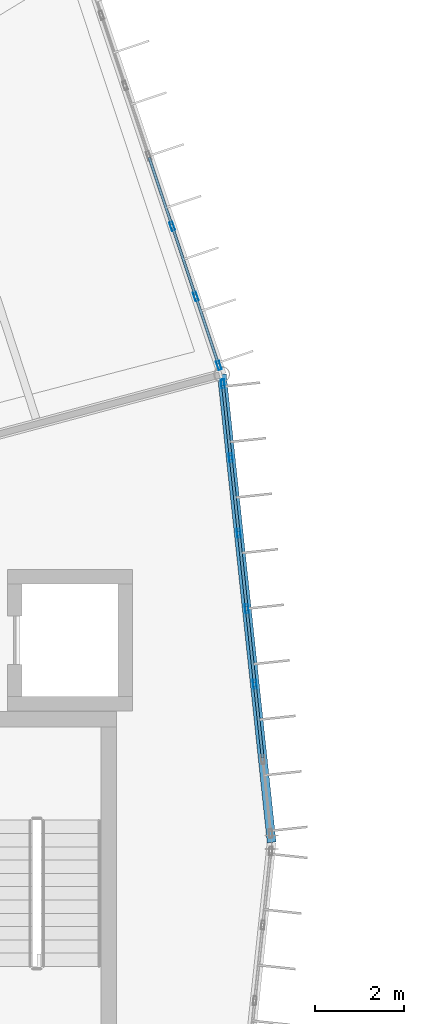
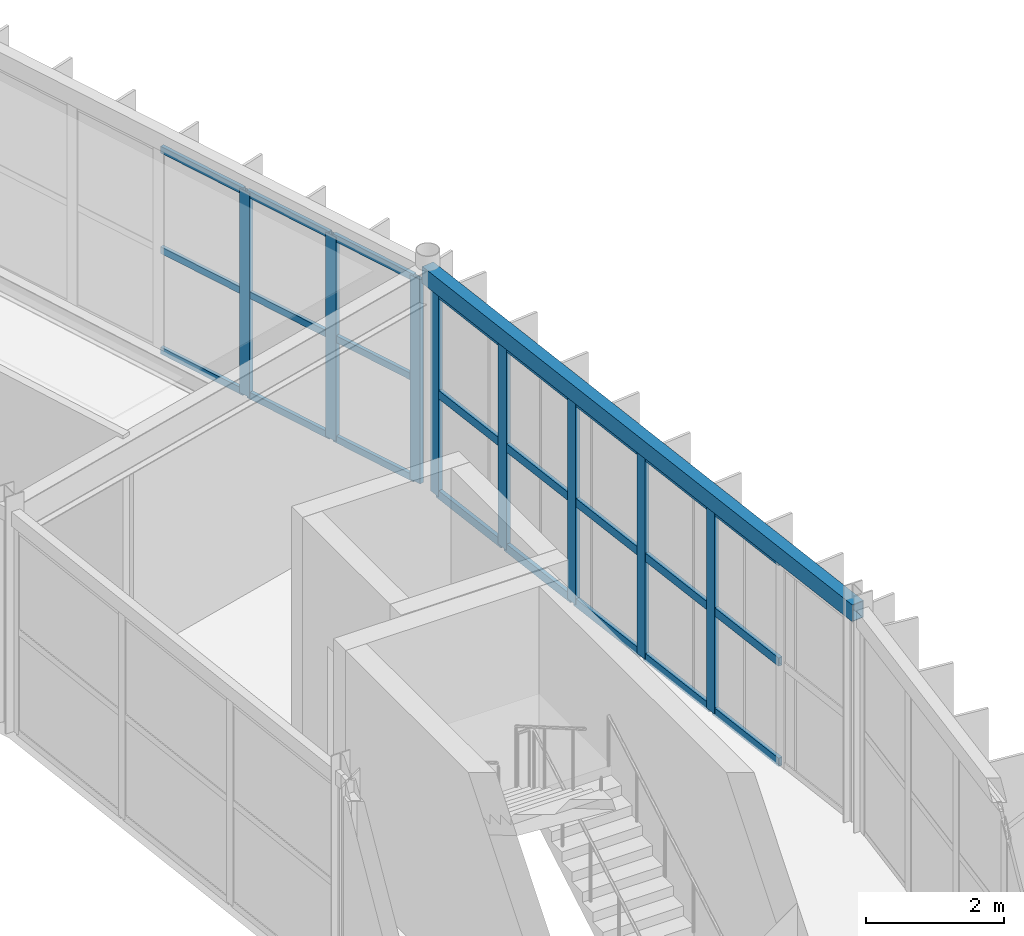
# One storey, part 66 of 147: 32 members, 1 beam, 2 elements without a shape of their own.
"""IFC4 building model written with IfcOpenShell, lengths in metres."""

from ifc_helpers import new_model, si_unit, direction, frame, origin, origin_2d, place, context, subcontext, project, spatial, hollow_rectangle, extrude, material, material_profile, profile_set, type_object, element, aggregate, save


model = new_model("IFC4")

# Units and contexts
model_context = context("Model", 3, precision=1e-05, world=origin(), true_north=direction((0.0, 1.0)))
body_context = subcontext(model_context, "Body", "Model", "MODEL_VIEW")
ifc_project = project(units=[si_unit("LENGTHUNIT", "METRE"), si_unit("AREAUNIT", "SQUARE_METRE"), si_unit("VOLUMEUNIT", "CUBIC_METRE"), si_unit("PLANEANGLEUNIT", "RADIAN"), si_unit("MASSUNIT", "GRAM", prefix="KILO")], contexts=[model_context])

# Site, building, storey
site_placement = place(None, origin())
site = spatial("IfcSite", under=ifc_project, at=site_placement, CompositionType="ELEMENT")
building_placement = place(site_placement, origin())
building = spatial("IfcBuilding", under=site, at=building_placement, Name="Karori Crest Natural Sciences Institute", CompositionType="ELEMENT")
storey_placement = place(building_placement, frame((0.0, 0.0, 9.10009765625)))
storey = spatial("IfcBuildingStorey", under=building, at=storey_placement, Name="L02", CompositionType="ELEMENT", Elevation=9.10009765625)

# Beam
ifc_material_1 = material(Name="Hollow structural steel AS/NZS 1163 Grade C350", Category="steel")
ifc_material_profile_1 = material_profile(ifc_material_1, hollow_rectangle(XDim=0.199951171875, YDim=0.300048828125, WallThickness=0.010009765625, at=origin_2d()), Name="RHS300x200x10")
ifc_profile_set_1 = profile_set([ifc_material_profile_1], Name="Hollow structural steel AS/NZS 1163 Grade C350")
beam_type = type_object("IfcBeamType", Name="BT-15", PredefinedType="SPANDREL", material=ifc_profile_set_1)
beam_placement = place(storey_placement, frame((99.39990234375, 49.89990234375, 3.789794921875), z_axis=(-0.105868278464, 0.994380162521, 0.0), x_axis=(-0.994380162521, -0.105868278464, 0.0)))
element("IfcBeam", 1, at=beam_placement, inside=storey, type_object=beam_type, Name="Beam B-0271", PredefinedType="SPANDREL", context=body_context, shape_type="SweptSolid", body=[
    extrude(hollow_rectangle(XDim=0.199951171875, YDim=0.300048828125, WallThickness=0.010009765625, at=origin_2d()), origin(), (0.0, 0.0, 1.0), 10.619384765625),
])

# Curtain wall, members
ifc_material_2 = material(Name="Anodised architectural aluminium 6063-T6", Category="aluminium")
curtain_wall_type_1 = type_object("IfcCurtainWallType", Name="CWT-01", PredefinedType="NOTDEFINED", material=ifc_material_2)
curtain_wall_1_placement = place(storey_placement, origin())
curtain_wall_1 = element("IfcCurtainWall", 2, at=curtain_wall_1_placement, inside=storey, type_object=curtain_wall_type_1, Name="Curtain wall CW-0065", PredefinedType="NOTDEFINED")
ifc_material_profile_2 = material_profile(ifc_material_2, hollow_rectangle(XDim=0.074951171875, YDim=0.199951171875, WallThickness=0.0048828125, at=origin_2d()), Name="CWM200x75x5")
ifc_profile_set_2 = profile_set([ifc_material_profile_2], Name="Anodised architectural aluminium 6063-T6")
member_type_1 = type_object("IfcMemberType", Name="CWM-02", PredefinedType="MULLION", material=ifc_profile_set_2)
member_1_placement = place(storey_placement, frame((98.298095703125, 60.247802734375, 0.0), z_axis=(0.0, 0.0, 1.0), x_axis=(0.994378742451, 0.105881615789, 0.0)))
member_1 = element("IfcMember", 3, at=member_1_placement, type_object=member_type_1, Name="CW-0065 mullion 1", PredefinedType="MULLION", context=body_context, shape_type="SweptSolid", body=[
    extrude(hollow_rectangle(XDim=0.074951171875, YDim=0.199951171875, WallThickness=0.0048828125, at=origin_2d()), origin(), (0.0, 0.0, 1.0), 3.625),
])
member_2_placement = place(storey_placement, frame((98.4755859375, 58.5810546875, 0.0), z_axis=(0.0, 0.0, 1.0), x_axis=(0.994378742451, 0.105881615789, 0.0)))
member_2 = element("IfcMember", 4, at=member_2_placement, type_object=member_type_1, Name="CW-0065 mullion 2", PredefinedType="MULLION", context=body_context, shape_type="SweptSolid", body=[
    extrude(hollow_rectangle(XDim=0.074951171875, YDim=0.199951171875, WallThickness=0.0048828125, at=origin_2d()), origin(), (0.0, 0.0, 1.0), 3.625),
])
member_3_placement = place(storey_placement, frame((98.656982421875, 56.877197265625, 0.0), z_axis=(0.0, 0.0, 1.0), x_axis=(0.994378742451, 0.105881615789, 0.0)))
member_3 = element("IfcMember", 5, at=member_3_placement, type_object=member_type_1, Name="CW-0065 mullion 3", PredefinedType="MULLION", context=body_context, shape_type="SweptSolid", body=[
    extrude(hollow_rectangle(XDim=0.074951171875, YDim=0.199951171875, WallThickness=0.0048828125, at=origin_2d()), origin(), (0.0, 0.0, 1.0), 3.625),
])
member_4_placement = place(storey_placement, frame((98.83837890625, 55.17333984375, 0.0), z_axis=(0.0, 0.0, 1.0), x_axis=(0.994378742451, 0.105881615789, 0.0)))
member_4 = element("IfcMember", 6, at=member_4_placement, type_object=member_type_1, Name="CW-0065 mullion 4", PredefinedType="MULLION", context=body_context, shape_type="SweptSolid", body=[
    extrude(hollow_rectangle(XDim=0.074951171875, YDim=0.199951171875, WallThickness=0.0048828125, at=origin_2d()), origin(), (0.0, 0.0, 1.0), 3.625),
])
member_5_placement = place(storey_placement, frame((99.02001953125, 53.46923828125, 0.0), z_axis=(0.0, 0.0, 1.0), x_axis=(0.994378742451, 0.105881615789, 0.0)))
member_5 = element("IfcMember", 7, at=member_5_placement, type_object=member_type_1, Name="CW-0065 mullion 5", PredefinedType="MULLION", context=body_context, shape_type="SweptSolid", body=[
    extrude(hollow_rectangle(XDim=0.074951171875, YDim=0.199951171875, WallThickness=0.0048828125, at=origin_2d()), origin(), (0.0, 0.0, 1.0), 3.625),
])

curtain_wall_type_2 = type_object("IfcCurtainWallType", Name="CWT-02", PredefinedType="NOTDEFINED", material=ifc_material_2)
curtain_wall_2_placement = place(storey_placement, origin())
curtain_wall_2 = element("IfcCurtainWall", 8, at=curtain_wall_2_placement, inside=storey, type_object=curtain_wall_type_2, Name="Curtain wall CW-0067", PredefinedType="NOTDEFINED")
member_6_placement = place(storey_placement, frame((97.156494140625, 63.800537109375, 0.0), z_axis=(0.0, 0.0, 1.0), x_axis=(0.948196219586, 0.317685267462, 0.0)))
member_6 = element("IfcMember", 9, at=member_6_placement, type_object=member_type_1, Name="CW-0067 mullion 5", PredefinedType="MULLION", context=body_context, shape_type="SweptSolid", body=[
    extrude(hollow_rectangle(XDim=0.074951171875, YDim=0.199951171875, WallThickness=0.0048828125, at=origin_2d()), origin(), (0.0, 0.0, 1.0), 3.625),
])
member_7_placement = place(storey_placement, frame((97.68798828125, 62.21337890625, 0.0), z_axis=(0.0, 0.0, 1.0), x_axis=(0.948196219586, 0.317685267462, 0.0)))
member_7 = element("IfcMember", 10, at=member_7_placement, type_object=member_type_1, Name="CW-0067 mullion 6", PredefinedType="MULLION", context=body_context, shape_type="SweptSolid", body=[
    extrude(hollow_rectangle(XDim=0.074951171875, YDim=0.199951171875, WallThickness=0.0048828125, at=origin_2d()), origin(), (0.0, 0.0, 1.0), 3.625),
])
member_8_placement = place(storey_placement, frame((98.2080078125, 60.662109375, 0.0), z_axis=(0.0, 0.0, 1.0), x_axis=(0.948196219586, 0.317685267462, 0.0)))
member_8 = element("IfcMember", 11, at=member_8_placement, type_object=member_type_1, Name="CW-0067 mullion 7", PredefinedType="MULLION", context=body_context, shape_type="SweptSolid", body=[
    extrude(hollow_rectangle(XDim=0.074951171875, YDim=0.199951171875, WallThickness=0.0048828125, at=origin_2d()), origin(), (0.0, 0.0, 1.0), 3.625),
])
ifc_material_profile_3 = material_profile(ifc_material_2, hollow_rectangle(XDim=0.06005859375, YDim=0.1201171875, WallThickness=0.00390625, at=origin_2d()), Name="CWT120x60x4")
ifc_profile_set_3 = profile_set([ifc_material_profile_3], Name="Anodised architectural aluminium 6063-T6")
member_type_2 = type_object("IfcMemberType", Name="CWT-TR1", PredefinedType="USERDEFINED", material=ifc_profile_set_3)
member_9_placement = place(storey_placement, frame((96.63671875, 65.351806640625, 0.02978515625), z_axis=(0.317647663217, -0.948208817747, 0.0), x_axis=(0.948208817747, 0.317647663217, 0.0)))
member_9 = element("IfcMember", 12, at=member_9_placement, type_object=member_type_2, Name="CW-0067 transom 4.1", ObjectType="TRANSOM", PredefinedType="USERDEFINED", context=body_context, shape_type="SweptSolid", body=[
    extrude(hollow_rectangle(XDim=0.06005859375, YDim=0.1201171875, WallThickness=0.00390625, at=origin_2d()), origin(), (0.0, 0.0, 1.0), 1.5986328125),
])
member_10_placement = place(storey_placement, frame((96.63671875, 65.351806640625, 1.8125), z_axis=(0.317647663217, -0.948208817747, 0.0), x_axis=(0.948208817747, 0.317647663217, 0.0)))
member_10 = element("IfcMember", 13, at=member_10_placement, type_object=member_type_2, Name="CW-0067 transom 4.2", ObjectType="TRANSOM", PredefinedType="USERDEFINED", context=body_context, shape_type="SweptSolid", body=[
    extrude(hollow_rectangle(XDim=0.06005859375, YDim=0.1201171875, WallThickness=0.00390625, at=origin_2d()), origin(), (0.0, 0.0, 1.0), 1.5986328125),
])
member_11_placement = place(storey_placement, frame((96.63671875, 65.351806640625, 3.594970703125), z_axis=(0.317647663217, -0.948208817747, 0.0), x_axis=(0.948208817747, 0.317647663217, 0.0)))
member_11 = element("IfcMember", 14, at=member_11_placement, type_object=member_type_2, Name="CW-0067 transom 4.3", ObjectType="TRANSOM", PredefinedType="USERDEFINED", context=body_context, shape_type="SweptSolid", body=[
    extrude(hollow_rectangle(XDim=0.06005859375, YDim=0.1201171875, WallThickness=0.00390625, at=origin_2d()), origin(), (0.0, 0.0, 1.0), 1.5986328125),
])
member_12_placement = place(storey_placement, frame((97.168212890625, 63.764892578125, 0.02978515625), z_axis=(0.317784959476, -0.948162812776, 0.0), x_axis=(0.948162812776, 0.317784959476, 0.0)))
member_12 = element("IfcMember", 15, at=member_12_placement, type_object=member_type_2, Name="CW-0067 transom 5.1", ObjectType="TRANSOM", PredefinedType="USERDEFINED", context=body_context, shape_type="SweptSolid", body=[
    extrude(hollow_rectangle(XDim=0.06005859375, YDim=0.1201171875, WallThickness=0.00390625, at=origin_2d()), origin(), (0.0, 0.0, 1.0), 1.5986328125),
])
member_13_placement = place(storey_placement, frame((97.168212890625, 63.764892578125, 1.8125), z_axis=(0.317784959476, -0.948162812776, 0.0), x_axis=(0.948162812776, 0.317784959476, 0.0)))
member_13 = element("IfcMember", 16, at=member_13_placement, type_object=member_type_2, Name="CW-0067 transom 5.2", ObjectType="TRANSOM", PredefinedType="USERDEFINED", context=body_context, shape_type="SweptSolid", body=[
    extrude(hollow_rectangle(XDim=0.06005859375, YDim=0.1201171875, WallThickness=0.00390625, at=origin_2d()), origin(), (0.0, 0.0, 1.0), 1.5986328125),
])
member_14_placement = place(storey_placement, frame((97.168212890625, 63.764892578125, 3.594970703125), z_axis=(0.317784959476, -0.948162812776, 0.0), x_axis=(0.948162812776, 0.317784959476, 0.0)))
member_14 = element("IfcMember", 17, at=member_14_placement, type_object=member_type_2, Name="CW-0067 transom 5.3", ObjectType="TRANSOM", PredefinedType="USERDEFINED", context=body_context, shape_type="SweptSolid", body=[
    extrude(hollow_rectangle(XDim=0.06005859375, YDim=0.1201171875, WallThickness=0.00390625, at=origin_2d()), origin(), (0.0, 0.0, 1.0), 1.5986328125),
])
member_15_placement = place(storey_placement, frame((97.699951171875, 62.177978515625, 0.02978515625), z_axis=(0.317728449452, -0.948181750726, 0.0), x_axis=(0.948181750726, 0.317728449452, 0.0)))
member_15 = element("IfcMember", 18, at=member_15_placement, type_object=member_type_2, Name="CW-0067 transom 6.1", ObjectType="TRANSOM", PredefinedType="USERDEFINED", context=body_context, shape_type="SweptSolid", body=[
    extrude(hollow_rectangle(XDim=0.06005859375, YDim=0.1201171875, WallThickness=0.00390625, at=origin_2d()), origin(), (0.0, 0.0, 1.0), 1.561279296875),
])
member_16_placement = place(storey_placement, frame((97.699951171875, 62.177978515625, 1.8125), z_axis=(0.317728449452, -0.948181750726, 0.0), x_axis=(0.948181750726, 0.317728449452, 0.0)))
member_16 = element("IfcMember", 19, at=member_16_placement, type_object=member_type_2, Name="CW-0067 transom 6.2", ObjectType="TRANSOM", PredefinedType="USERDEFINED", context=body_context, shape_type="SweptSolid", body=[
    extrude(hollow_rectangle(XDim=0.06005859375, YDim=0.1201171875, WallThickness=0.00390625, at=origin_2d()), origin(), (0.0, 0.0, 1.0), 1.561279296875),
])
member_17_placement = place(storey_placement, frame((97.699951171875, 62.177978515625, 3.594970703125), z_axis=(0.317728449452, -0.948181750726, 0.0), x_axis=(0.948181750726, 0.317728449452, 0.0)))
member_17 = element("IfcMember", 20, at=member_17_placement, type_object=member_type_2, Name="CW-0067 transom 6.3", ObjectType="TRANSOM", PredefinedType="USERDEFINED", context=body_context, shape_type="SweptSolid", body=[
    extrude(hollow_rectangle(XDim=0.06005859375, YDim=0.1201171875, WallThickness=0.00390625, at=origin_2d()), origin(), (0.0, 0.0, 1.0), 1.561279296875),
])
aggregate(curtain_wall_2, [member_6, member_7, member_8, member_9, member_10, member_11, member_12, member_13, member_14, member_15, member_16, member_17])

# Member
ifc_material_profile_4 = material_profile(ifc_material_2, hollow_rectangle(XDim=0.06494140625, YDim=0.14990234375, WallThickness=0.00390625, at=origin_2d()), Name="CWT150x65x4")
ifc_profile_set_4 = profile_set([ifc_material_profile_4], Name="Anodised architectural aluminium 6063-T6")
member_type_3 = type_object("IfcMemberType", Name="CWT-TR2", PredefinedType="USERDEFINED", material=ifc_profile_set_4)
member_18_placement = place(storey_placement, frame((98.30224609375, 60.21044921875, 0.032470703125), z_axis=(0.105827760466, -0.9943844755, 0.0), x_axis=(0.9943844755, 0.105827760466, 0.0)))
member_18 = element("IfcMember", 21, at=member_18_placement, type_object=member_type_3, Name="CW-0065 transom 1.1", ObjectType="TRANSOM", PredefinedType="USERDEFINED", context=body_context, shape_type="SweptSolid", body=[
    extrude(hollow_rectangle(XDim=0.06494140625, YDim=0.14990234375, WallThickness=0.00390625, at=origin_2d()), origin(), (0.0, 0.0, 1.0), 1.60107421875),
])

member_19_placement = place(storey_placement, frame((98.30224609375, 60.21044921875, 1.8125), z_axis=(0.105827760466, -0.9943844755, 0.0), x_axis=(0.9943844755, 0.105827760466, 0.0)))
member_19 = element("IfcMember", 22, at=member_19_placement, type_object=member_type_3, Name="CW-0065 transom 1.2", ObjectType="TRANSOM", PredefinedType="USERDEFINED", context=body_context, shape_type="SweptSolid", body=[
    extrude(hollow_rectangle(XDim=0.06494140625, YDim=0.14990234375, WallThickness=0.00390625, at=origin_2d()), origin(), (0.0, 0.0, 1.0), 1.60107421875),
])

member_20_placement = place(storey_placement, frame((98.30224609375, 60.21044921875, 3.59228515625), z_axis=(0.105827760466, -0.9943844755, 0.0), x_axis=(0.9943844755, 0.105827760466, 0.0)))
member_20 = element("IfcMember", 23, at=member_20_placement, type_object=member_type_3, Name="CW-0065 transom 1.3", ObjectType="TRANSOM", PredefinedType="USERDEFINED", context=body_context, shape_type="SweptSolid", body=[
    extrude(hollow_rectangle(XDim=0.06494140625, YDim=0.14990234375, WallThickness=0.00390625, at=origin_2d()), origin(), (0.0, 0.0, 1.0), 1.60107421875),
])

member_21_placement = place(storey_placement, frame((98.4794921875, 58.543701171875, 0.032470703125), z_axis=(0.105949074941, -0.994371557075, 0.0), x_axis=(0.994371557075, 0.105949074941, 0.0)))
member_21 = element("IfcMember", 24, at=member_21_placement, type_object=member_type_3, Name="CW-0065 transom 2.1", ObjectType="TRANSOM", PredefinedType="USERDEFINED", context=body_context, shape_type="SweptSolid", body=[
    extrude(hollow_rectangle(XDim=0.06494140625, YDim=0.14990234375, WallThickness=0.00390625, at=origin_2d()), origin(), (0.0, 0.0, 1.0), 1.638427734375),
])

member_22_placement = place(storey_placement, frame((98.4794921875, 58.543701171875, 1.8125), z_axis=(0.105949074941, -0.994371557075, 0.0), x_axis=(0.994371557075, 0.105949074941, 0.0)))
member_22 = element("IfcMember", 25, at=member_22_placement, type_object=member_type_3, Name="CW-0065 transom 2.2", ObjectType="TRANSOM", PredefinedType="USERDEFINED", context=body_context, shape_type="SweptSolid", body=[
    extrude(hollow_rectangle(XDim=0.06494140625, YDim=0.14990234375, WallThickness=0.00390625, at=origin_2d()), origin(), (0.0, 0.0, 1.0), 1.638427734375),
])

member_23_placement = place(storey_placement, frame((98.4794921875, 58.543701171875, 3.59228515625), z_axis=(0.105949074941, -0.994371557075, 0.0), x_axis=(0.994371557075, 0.105949074941, 0.0)))
member_23 = element("IfcMember", 26, at=member_23_placement, type_object=member_type_3, Name="CW-0065 transom 2.3", ObjectType="TRANSOM", PredefinedType="USERDEFINED", context=body_context, shape_type="SweptSolid", body=[
    extrude(hollow_rectangle(XDim=0.06494140625, YDim=0.14990234375, WallThickness=0.00390625, at=origin_2d()), origin(), (0.0, 0.0, 1.0), 1.638427734375),
])

member_24_placement = place(storey_placement, frame((98.6611328125, 56.83984375, 0.032470703125), z_axis=(0.105786054594, -0.994388913179, 0.0), x_axis=(0.994388913179, 0.105786054594, 0.0)))
member_24 = element("IfcMember", 27, at=member_24_placement, type_object=member_type_3, Name="CW-0065 transom 3.1", ObjectType="TRANSOM", PredefinedType="USERDEFINED", context=body_context, shape_type="SweptSolid", body=[
    extrude(hollow_rectangle(XDim=0.06494140625, YDim=0.14990234375, WallThickness=0.00390625, at=origin_2d()), origin(), (0.0, 0.0, 1.0), 1.638671875),
])

member_25_placement = place(storey_placement, frame((98.6611328125, 56.83984375, 1.8125), z_axis=(0.105786054594, -0.994388913179, 0.0), x_axis=(0.994388913179, 0.105786054594, 0.0)))
member_25 = element("IfcMember", 28, at=member_25_placement, type_object=member_type_3, Name="CW-0065 transom 3.2", ObjectType="TRANSOM", PredefinedType="USERDEFINED", context=body_context, shape_type="SweptSolid", body=[
    extrude(hollow_rectangle(XDim=0.06494140625, YDim=0.14990234375, WallThickness=0.00390625, at=origin_2d()), origin(), (0.0, 0.0, 1.0), 1.638671875),
])

member_26_placement = place(storey_placement, frame((98.6611328125, 56.83984375, 3.59228515625), z_axis=(0.105786054594, -0.994388913179, 0.0), x_axis=(0.994388913179, 0.105786054594, 0.0)))
member_26 = element("IfcMember", 29, at=member_26_placement, type_object=member_type_3, Name="CW-0065 transom 3.3", ObjectType="TRANSOM", PredefinedType="USERDEFINED", context=body_context, shape_type="SweptSolid", body=[
    extrude(hollow_rectangle(XDim=0.06494140625, YDim=0.14990234375, WallThickness=0.00390625, at=origin_2d()), origin(), (0.0, 0.0, 1.0), 1.638671875),
])

member_27_placement = place(storey_placement, frame((98.842529296875, 55.135986328125, 0.032470703125), z_axis=(0.105786054594, -0.994388913179, 0.0), x_axis=(0.994388913179, 0.105786054594, 0.0)))
member_27 = element("IfcMember", 30, at=member_27_placement, type_object=member_type_3, Name="CW-0065 transom 4.1", ObjectType="TRANSOM", PredefinedType="USERDEFINED", context=body_context, shape_type="SweptSolid", body=[
    extrude(hollow_rectangle(XDim=0.06494140625, YDim=0.14990234375, WallThickness=0.00390625, at=origin_2d()), origin(), (0.0, 0.0, 1.0), 1.638671875),
])

member_28_placement = place(storey_placement, frame((98.842529296875, 55.135986328125, 1.8125), z_axis=(0.105786054594, -0.994388913179, 0.0), x_axis=(0.994388913179, 0.105786054594, 0.0)))
member_28 = element("IfcMember", 31, at=member_28_placement, type_object=member_type_3, Name="CW-0065 transom 4.2", ObjectType="TRANSOM", PredefinedType="USERDEFINED", context=body_context, shape_type="SweptSolid", body=[
    extrude(hollow_rectangle(XDim=0.06494140625, YDim=0.14990234375, WallThickness=0.00390625, at=origin_2d()), origin(), (0.0, 0.0, 1.0), 1.638671875),
])

member_29_placement = place(storey_placement, frame((98.842529296875, 55.135986328125, 3.59228515625), z_axis=(0.105786054594, -0.994388913179, 0.0), x_axis=(0.994388913179, 0.105786054594, 0.0)))
member_29 = element("IfcMember", 32, at=member_29_placement, type_object=member_type_3, Name="CW-0065 transom 4.3", ObjectType="TRANSOM", PredefinedType="USERDEFINED", context=body_context, shape_type="SweptSolid", body=[
    extrude(hollow_rectangle(XDim=0.06494140625, YDim=0.14990234375, WallThickness=0.00390625, at=origin_2d()), origin(), (0.0, 0.0, 1.0), 1.638671875),
])

member_30_placement = place(storey_placement, frame((99.02392578125, 53.43212890625, 0.032470703125), z_axis=(0.105933378201, -0.994373229418, 0.0), x_axis=(0.994373229418, 0.105933378201, 0.0)))
member_30 = element("IfcMember", 33, at=member_30_placement, type_object=member_type_3, Name="CW-0065 transom 5.1", ObjectType="TRANSOM", PredefinedType="USERDEFINED", context=body_context, shape_type="SweptSolid", body=[
    extrude(hollow_rectangle(XDim=0.06494140625, YDim=0.14990234375, WallThickness=0.00390625, at=origin_2d()), origin(), (0.0, 0.0, 1.0), 1.638671875),
])

member_31_placement = place(storey_placement, frame((99.02392578125, 53.43212890625, 1.8125), z_axis=(0.105933378201, -0.994373229418, 0.0), x_axis=(0.994373229418, 0.105933378201, 0.0)))
member_31 = element("IfcMember", 34, at=member_31_placement, type_object=member_type_3, Name="CW-0065 transom 5.2", ObjectType="TRANSOM", PredefinedType="USERDEFINED", context=body_context, shape_type="SweptSolid", body=[
    extrude(hollow_rectangle(XDim=0.06494140625, YDim=0.14990234375, WallThickness=0.00390625, at=origin_2d()), origin(), (0.0, 0.0, 1.0), 1.638671875),
])

member_32_placement = place(storey_placement, frame((99.02392578125, 53.43212890625, 3.59228515625), z_axis=(0.105933378201, -0.994373229418, 0.0), x_axis=(0.994373229418, 0.105933378201, 0.0)))
member_32 = element("IfcMember", 35, at=member_32_placement, type_object=member_type_3, Name="CW-0065 transom 5.3", ObjectType="TRANSOM", PredefinedType="USERDEFINED", context=body_context, shape_type="SweptSolid", body=[
    extrude(hollow_rectangle(XDim=0.06494140625, YDim=0.14990234375, WallThickness=0.00390625, at=origin_2d()), origin(), (0.0, 0.0, 1.0), 1.638671875),
])

aggregate(curtain_wall_1, [member_1, member_2, member_3, member_4, member_5, member_18, member_19, member_20, member_21, member_22, member_23, member_24, member_25, member_26, member_27, member_28, member_29, member_30, member_31, member_32])

save(model, "model.ifc")
